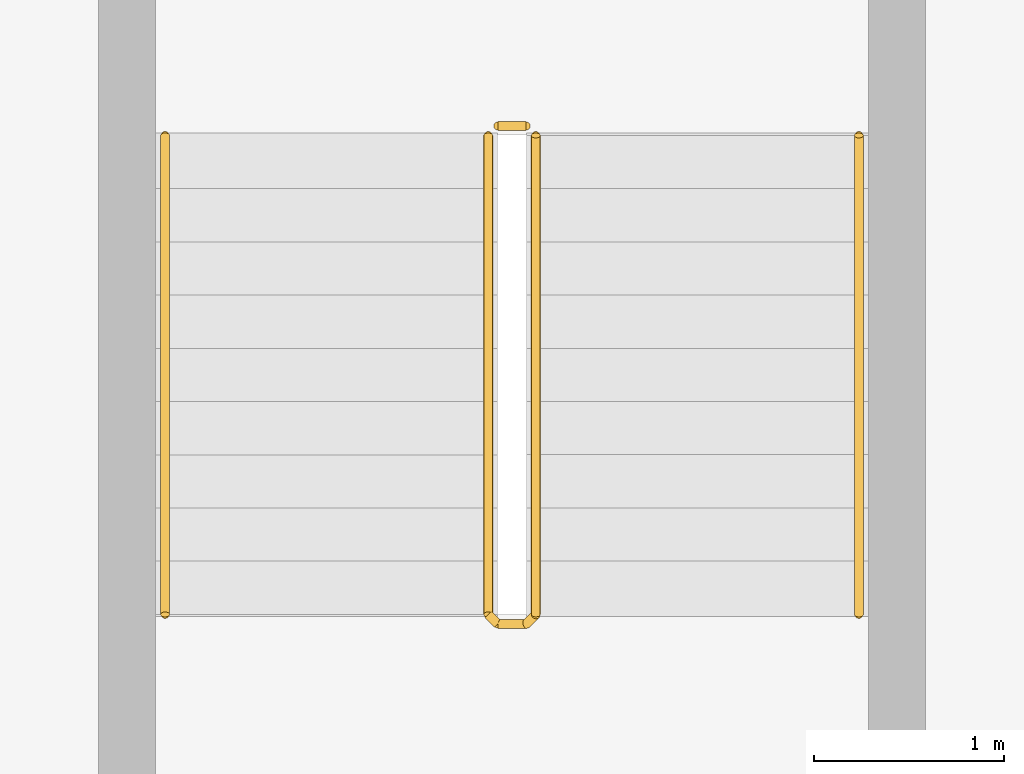
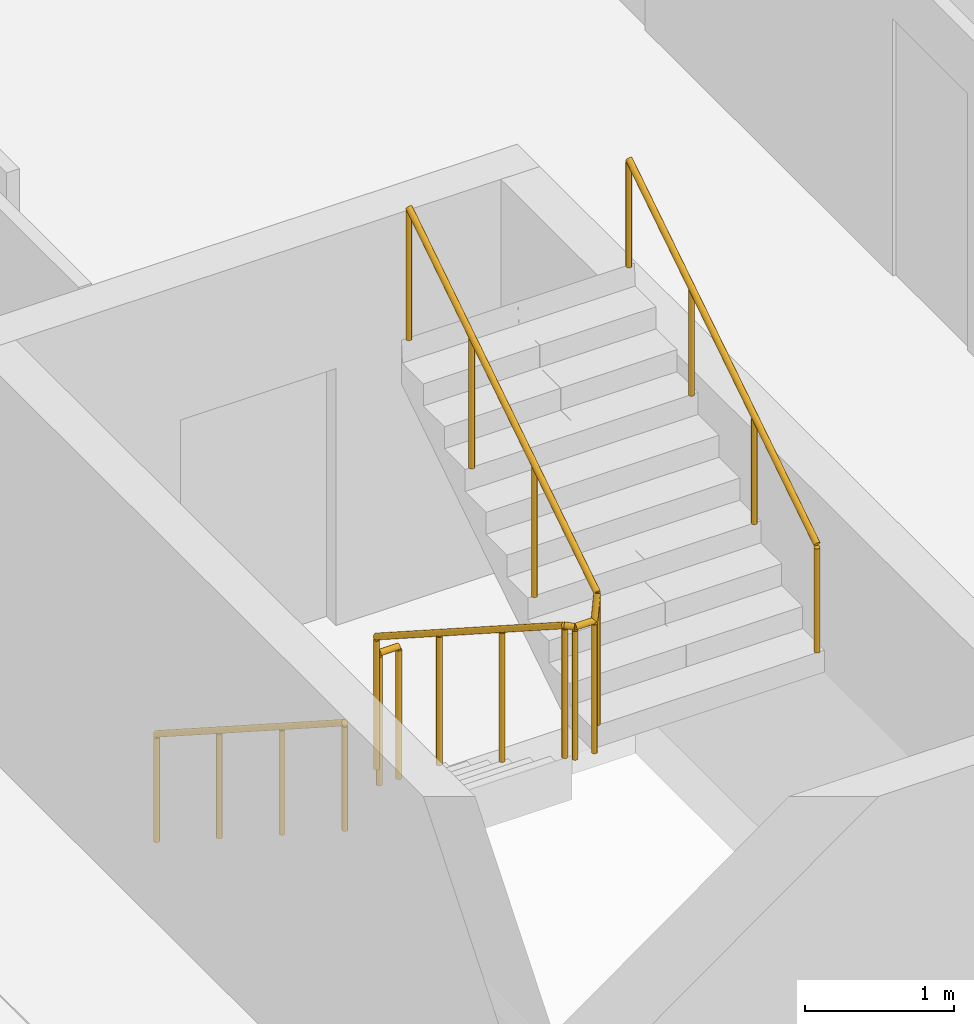
# One storey, part 25 of 27: 4 railings.
"""IFC4 building model written with IfcOpenShell, lengths in metres."""

import ifcopenshell
import ifcopenshell.guid

model = None  # the IFC model being written
_history = None  # IfcOwnerHistory: only IFC2X3 demands one
_inside = {}  # id of a spatial element -> (the spatial element, [elements in it])
_under = {}  # id of a project, library or spatial element -> (it, [spatial elements below it])
_declared = {}  # id of a project -> (the project, [libraries it declares])
_typed = {}  # id of a type object -> (the type object, [elements of that type])
_made_of = {}  # id of a material, layer set ... -> (it, [elements and type objects made of it])


def new_model(schema):
    """Start an empty IFC model of exactly this schema.

    Asked for "IFC4X3", IfcOpenShell would pick the latest addendum, in which some entities
    have other attributes; the version numbers below select the first issue.
    IFC2X3 requires an IfcOwnerHistory on every rooted entity: one is made here for all.
    """
    global model, _history
    if schema == "IFC4X3":
        model = ifcopenshell.file(schema_version=(4, 3, 0, 0))
    else:
        model = ifcopenshell.file(schema=schema)
    _inside.clear()
    _under.clear()
    _declared.clear()
    _typed.clear()
    _made_of.clear()
    _history = None
    if model.schema == "IFC2X3":
        org = make("IfcOrganization", Name="unknown")
        user = make(
            "IfcPersonAndOrganization",
            ThePerson=make("IfcPerson", FamilyName="unknown"),
            TheOrganization=org,
        )
        app = make(
            "IfcApplication",
            ApplicationDeveloper=org,
            Version="unknown",
            ApplicationFullName="unknown",
            ApplicationIdentifier="unknown",
        )
        _history = make(
            "IfcOwnerHistory",
            OwningUser=user,
            OwningApplication=app,
            ChangeAction="ADDED",
            CreationDate=0,
        )
    return model


def make(cls, **values):
    """One entity of the class cls with the attributes given. An attribute that is None is left unset."""
    return model.create_entity(
        cls, **{name: value for name, value in values.items() if value is not None}
    )


def rooted(cls, **values):
    """An entity with a GlobalId (a new one), such as an element, a storey or a relation."""
    return make(cls, GlobalId=ifcopenshell.guid.new(), OwnerHistory=_history, **values)


def si_unit(unit_type, name, prefix=None):
    """IfcSIUnit, for example si_unit("LENGTHUNIT", "METRE", prefix="MILLI")."""
    return make("IfcSIUnit", UnitType=unit_type, Prefix=prefix, Name=name)


def assignment(units):
    """IfcUnitAssignment: the units of a project."""
    return None if units is None else make("IfcUnitAssignment", Units=units)


def point(xyz):
    """IfcCartesianPoint."""
    return None if xyz is None else make("IfcCartesianPoint", Coordinates=xyz)


def direction(xyz):
    """IfcDirection."""
    return None if xyz is None else make("IfcDirection", DirectionRatios=xyz)


def frame(location, z_axis=None, x_axis=None):
    """IfcAxis2Placement3D, a coordinate frame: its origin and axes. An axis left out is left unset."""
    return make(
        "IfcAxis2Placement3D",
        Location=point(location),
        Axis=direction(z_axis),
        RefDirection=direction(x_axis),
    )


def frame_2d(location, x_axis=None):
    """IfcAxis2Placement2D, a coordinate frame in the plane: its origin and x axis."""
    return make(
        "IfcAxis2Placement2D", Location=point(location), RefDirection=direction(x_axis)
    )


def origin():
    """The frame at (0, 0, 0) with its axes left unset."""
    return frame((0.0, 0.0, 0.0))


def origin_2d():
    """The frame at (0, 0) in the plane with its x axis left unset."""
    return frame_2d((0.0, 0.0))


def place(relative_to, where):
    """IfcLocalPlacement: puts the frame where relative to a parent placement (None: the world)."""
    return make(
        "IfcLocalPlacement", PlacementRelTo=relative_to, RelativePlacement=where
    )


def context(
    kind, dimensions, precision=None, world=None, true_north=None, identifier=None
):
    """IfcGeometricRepresentationContext, for example the 3D "Model" context."""
    return make(
        "IfcGeometricRepresentationContext",
        ContextIdentifier=identifier,
        ContextType=kind,
        CoordinateSpaceDimension=dimensions,
        Precision=precision,
        WorldCoordinateSystem=world,
        TrueNorth=true_north,
    )


def subcontext(parent, identifier, kind, view, scale=None):
    """IfcGeometricRepresentationSubContext, for example "Body" below "Model"."""
    return make(
        "IfcGeometricRepresentationSubContext",
        ContextIdentifier=identifier,
        ContextType=kind,
        ParentContext=parent,
        TargetScale=scale,
        TargetView=view,
    )


def project(units=None, contexts=None):
    """IfcProject with its units and contexts."""
    return rooted(
        "IfcProject",
        Name="project",
        RepresentationContexts=contexts,
        UnitsInContext=assignment(units),
    )


def spatial(cls, under=None, at=None, **own):
    """A site, building, storey or space (cls), placed at a placement, below another one or the project."""
    s = rooted(cls, ObjectPlacement=at, **own)
    if under is not None:
        _under.setdefault(under.id(), (under, []))[1].append(s)
    return s


def profile(cls, at=None, kind="AREA", **sizes):
    """A parametric profile (cls). Its sizes go by their IFC names, for example OverallWidth=200.0."""
    return make(cls, ProfileType=kind, Position=at, **sizes)


def circle(**sizes):
    """IfcCircleProfileDef."""
    return profile("IfcCircleProfileDef", **sizes)


def extrude(swept, where, along, depth):
    """IfcExtrudedAreaSolid: the profile swept, set in the frame where, extruded along a direction by depth."""
    return make(
        "IfcExtrudedAreaSolid",
        SweptArea=swept,
        Position=where,
        ExtrudedDirection=direction(along),
        Depth=depth,
    )


def shape(context_of_items, identifier, shape_type, items):
    """IfcShapeRepresentation: the items that make up one representation, for example the "Body"."""
    return make(
        "IfcShapeRepresentation",
        ContextOfItems=context_of_items,
        RepresentationIdentifier=identifier,
        RepresentationType=shape_type,
        Items=items,
    )


def material(Name=None, Category=None):
    """IfcMaterial."""
    return make("IfcMaterial", Name=Name, Category=Category)


def made_of(thing, what):
    """Note that an element or type object is made of a material, layer set ...; save() writes the relation."""
    if what is not None:
        _made_of.setdefault(what.id(), (what, []))[1].append(thing)
    return thing


def type_object(cls, material=None, **own):
    """A type object (cls), such as IfcWallType, which elements share."""
    return made_of(rooted(cls, **own), material)


def element(
    cls,
    number,
    at=None,
    inside=None,
    cuts=None,
    type_object=None,
    material=None,
    context=None,
    identifier="Body",
    shape_type=None,
    held_by="IfcProductDefinitionShape",
    body=None,
    shapes=None,
    **own,
):
    """One element of the class cls, such as IfcWall. Its Tag is "e" and its number.

    at: its placement. inside: the storey or other place that contains it. cuts: it is an
    opening in that element (IfcRelVoidsElement). A single representation is given by context,
    identifier, shape_type and body (its items); several are given by shapes. held_by: the class
    of the entity that holds the representations. save() writes the other relations.
    """
    e = rooted(cls, Tag="e%d" % number, ObjectPlacement=at, **own)
    if body is not None:
        shapes = [shape(context, identifier, shape_type, body)]
    if shapes is not None:
        e.Representation = make(held_by, Representations=shapes)
    if inside is not None:
        _inside.setdefault(inside.id(), (inside, []))[1].append(e)
    if cuts is not None:
        rooted(
            "IfcRelVoidsElement", RelatingBuildingElement=cuts, RelatedOpeningElement=e
        )
    if type_object is not None:
        _typed.setdefault(type_object.id(), (type_object, []))[1].append(e)
    return made_of(e, material)


def aggregate(whole, parts):
    """IfcRelAggregates: a whole, such as a stair, and the parts it consists of."""
    return rooted("IfcRelAggregates", RelatingObject=whole, RelatedObjects=parts)


def save(model, path):
    """Write the relations noted so far, then the file.

    IfcRelAggregates (storeys below a building ...), IfcRelContainedInSpatialStructure (elements
    in a storey), IfcRelDefinesByType, IfcRelAssociatesMaterial and IfcRelDeclares: one each for
    every whole, place, type object, material and project.
    """
    for whole, parts in _under.values():
        aggregate(whole, parts)
    for where, things in _inside.values():
        rooted(
            "IfcRelContainedInSpatialStructure",
            RelatedElements=things,
            RelatingStructure=where,
        )
    for kind, things in _typed.values():
        rooted("IfcRelDefinesByType", RelatedObjects=things, RelatingType=kind)
    for what, things in _made_of.values():
        rooted("IfcRelAssociatesMaterial", RelatedObjects=things, RelatingMaterial=what)
    for by, libraries in _declared.values():
        rooted("IfcRelDeclares", RelatingContext=by, RelatedDefinitions=libraries)
    model.write(path)


model = new_model("IFC4")

# Units and contexts
model_context = context("Model", 3, precision=1e-05, world=origin(), true_north=direction((0.0, 1.0)))
body_context = subcontext(model_context, "Body", "Model", "MODEL_VIEW")
ifc_project = project(units=[si_unit("LENGTHUNIT", "METRE"), si_unit("AREAUNIT", "SQUARE_METRE"), si_unit("VOLUMEUNIT", "CUBIC_METRE"), si_unit("PLANEANGLEUNIT", "RADIAN"), si_unit("MASSUNIT", "GRAM", prefix="KILO")], contexts=[model_context])

# Site, building, storey
site_placement = place(None, origin())
site = spatial("IfcSite", under=ifc_project, at=site_placement, CompositionType="ELEMENT")
building_placement = place(site_placement, origin())
building = spatial("IfcBuilding", under=site, at=building_placement, Name="Wharfspan Tower", CompositionType="ELEMENT")
storey_placement = place(building_placement, frame((0.0, 0.0, 73.899902)))
storey = spatial("IfcBuildingStorey", under=building, at=storey_placement, Name="L15", CompositionType="ELEMENT", Elevation=73.899902)

# Railings
ifc_material = material(Name="Steel S355J2", Category="steel")
railing_type_1 = type_object("IfcRailingType", Name="Stair guard 1100", PredefinedType="GUARDRAIL", material=ifc_material)
railing_1_placement = place(storey_placement, frame((39.258301, 3.760498, 0.180176)))
element("IfcRailing", 1, at=railing_1_placement, inside=storey, type_object=railing_type_1, Name="L15 ST4 stair guard 1", PredefinedType="GUARDRAIL", context=body_context, shape_type="SweptSolid", body=[
    extrude(circle(Radius=0.023926, at=origin_2d()), frame((0.0, 0.0, 1.076172), z_axis=(0.0, -0.841176, 0.540762), x_axis=(1.0, 0.0, 0.0)), (0.0, 0.0, 1.0), 2.995605),
    extrude(circle(Radius=0.023926, at=origin_2d()), frame((0.0, -2.519775, 2.695801), z_axis=(0.707107, -0.707107, 0.0), x_axis=(0.707107, 0.707107, 0.0)), (0.0, 0.0, 1.0), 0.070801),
    extrude(circle(Radius=0.023926, at=origin_2d()), frame((0.050049, -2.569824, 2.695801), z_axis=(1.0, 0.0, 0.0), x_axis=(0.0, 1.0, 0.0)), (0.0, 0.0, 1.0), 0.149902),
    extrude(circle(Radius=0.023926, at=origin_2d()), frame((0.199951, -2.569824, 2.695801), z_axis=(0.258848, 0.258848, 0.930589), x_axis=(-0.707107, 0.707107, 0.0)), (0.0, 0.0, 1.0), 0.193359),
    extrude(circle(Radius=0.023926, at=origin_2d()), frame((0.25, -2.519775, 2.875977), z_axis=(0.0, 0.841139, 0.540819), x_axis=(-1.0, 0.0, 0.0)), (0.0, 0.0, 1.0), 2.995605),
    extrude(circle(Radius=0.020996, at=origin_2d()), origin(), (0.0, 0.0, 1.0), 1.052002),
    extrude(circle(Radius=0.020996, at=origin_2d()), frame((0.0, -0.839844, 0.540039)), (0.0, 0.0, 1.0), 1.052002),
    extrude(circle(Radius=0.020996, at=origin_2d()), frame((0.0, -1.679932, 1.079834)), (0.0, 0.0, 1.0), 1.052002),
    extrude(circle(Radius=0.020996, at=origin_2d()), frame((0.0, -2.519775, 1.619873)), (0.0, 0.0, 1.0), 1.052002),
    extrude(circle(Radius=0.020996, at=origin_2d()), frame((0.050049, -2.569824, 1.619873)), (0.0, 0.0, 1.0), 1.052002),
    extrude(circle(Radius=0.020996, at=origin_2d()), frame((0.199951, -2.569824, 1.619873)), (0.0, 0.0, 1.0), 1.052002),
    extrude(circle(Radius=0.020996, at=origin_2d()), frame((0.25, -2.519775, 1.799805)), (0.0, 0.0, 1.0), 1.052002),
    extrude(circle(Radius=0.020996, at=origin_2d()), frame((0.25, -1.679932, 2.339844)), (0.0, 0.0, 1.0), 1.052002),
    extrude(circle(Radius=0.020996, at=origin_2d()), frame((0.25, -0.839844, 2.879883)), (0.0, 0.0, 1.0), 1.052002),
    extrude(circle(Radius=0.020996, at=origin_2d()), frame((0.25, 0.0, 3.419922)), (0.0, 0.0, 1.0), 1.052002),
])
railing_2_placement = place(storey_placement, frame((39.30835, 3.810547, 0.0)))
element("IfcRailing", 2, at=railing_2_placement, inside=storey, type_object=railing_type_1, Name="L15 ST4 stair guard 2", PredefinedType="GUARDRAIL", context=body_context, shape_type="SweptSolid", body=[
    extrude(circle(Radius=0.023926, at=origin_2d()), frame((0.0, 0.0, 1.076172), z_axis=(1.0, 0.0, 0.0), x_axis=(0.0, 1.0, 0.0)), (0.0, 0.0, 1.0), 0.149902),
    extrude(circle(Radius=0.020996, at=origin_2d()), origin(), (0.0, 0.0, 1.0), 1.052002),
    extrude(circle(Radius=0.020996, at=origin_2d()), frame((0.149902, 0.0, 0.0)), (0.0, 0.0, 1.0), 1.052002),
])
railing_type_2 = type_object("IfcRailingType", Name="Stair handrail 900", PredefinedType="HANDRAIL", material=ifc_material)
railing_3_placement = place(storey_placement, frame((37.55835, 3.760498, 0.180176)))
element("IfcRailing", 3, at=railing_3_placement, inside=storey, type_object=railing_type_2, Name="L15 ST4 stair handrail 1", PredefinedType="HANDRAIL", context=body_context, shape_type="SweptSolid", body=[
    extrude(circle(Radius=0.023926, at=origin_2d()), frame((0.0, 0.0, 0.875977), z_axis=(0.0, -0.841176, 0.540762), x_axis=(1.0, 0.0, 0.0)), (0.0, 0.0, 1.0), 2.995605),
    extrude(circle(Radius=0.020996, at=origin_2d()), origin(), (0.0, 0.0, 1.0), 0.851807),
    extrude(circle(Radius=0.020996, at=origin_2d()), frame((0.0, -0.839844, 0.540039)), (0.0, 0.0, 1.0), 0.851807),
    extrude(circle(Radius=0.020996, at=origin_2d()), frame((0.0, -1.679932, 1.079834)), (0.0, 0.0, 1.0), 0.851807),
    extrude(circle(Radius=0.020996, at=origin_2d()), frame((0.0, -2.519775, 1.619873)), (0.0, 0.0, 1.0), 0.851807),
])
railing_4_placement = place(storey_placement, frame((41.208252, 1.240723, 1.97998)))
element("IfcRailing", 4, at=railing_4_placement, inside=storey, type_object=railing_type_2, Name="L15 ST4 stair handrail 2", PredefinedType="HANDRAIL", context=body_context, shape_type="SweptSolid", body=[
    extrude(circle(Radius=0.023926, at=origin_2d()), frame((0.0, 0.0, 0.875977), z_axis=(0.0, 0.841139, 0.540819), x_axis=(-1.0, 0.0, 0.0)), (0.0, 0.0, 1.0), 2.995605),
    extrude(circle(Radius=0.020996, at=origin_2d()), origin(), (0.0, 0.0, 1.0), 0.851807),
    extrude(circle(Radius=0.020996, at=origin_2d()), frame((0.0, 0.839844, 0.540039)), (0.0, 0.0, 1.0), 0.851807),
    extrude(circle(Radius=0.020996, at=origin_2d()), frame((0.0, 1.679932, 1.080078)), (0.0, 0.0, 1.0), 0.851807),
    extrude(circle(Radius=0.020996, at=origin_2d()), frame((0.0, 2.519775, 1.620117)), (0.0, 0.0, 1.0), 0.851807),
])

save(model, "model.ifc")
